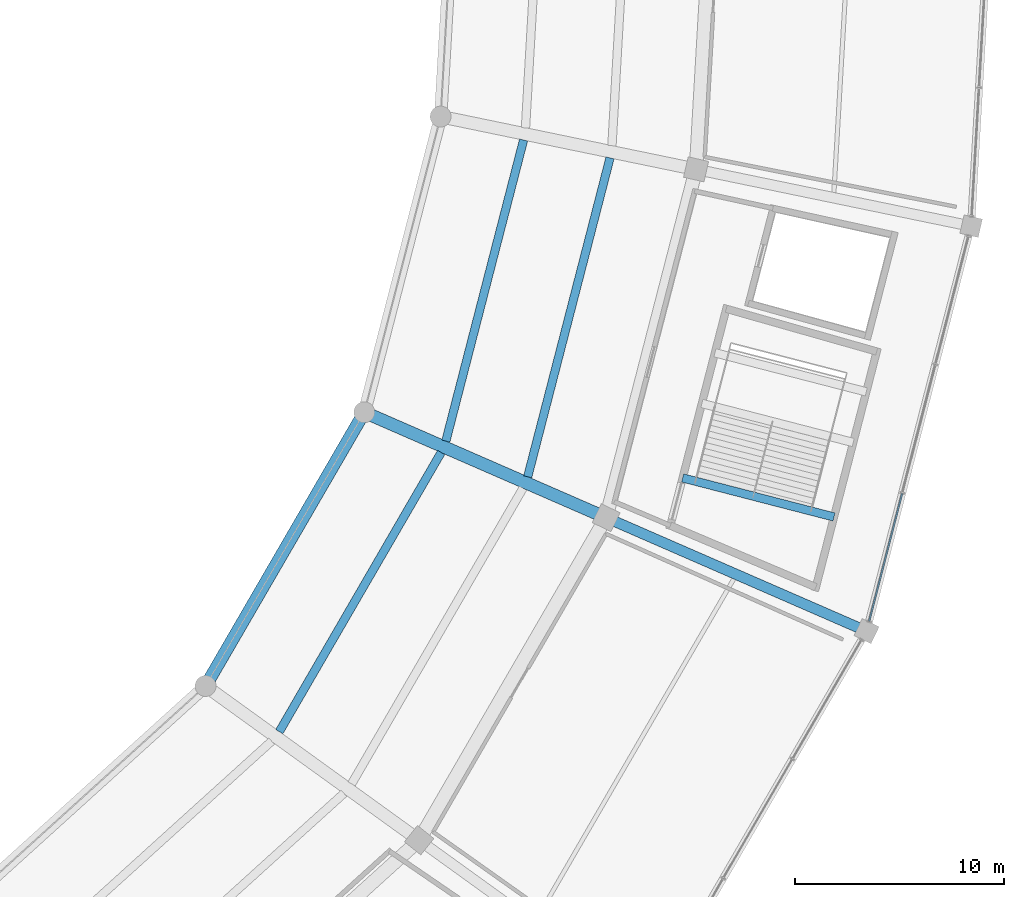
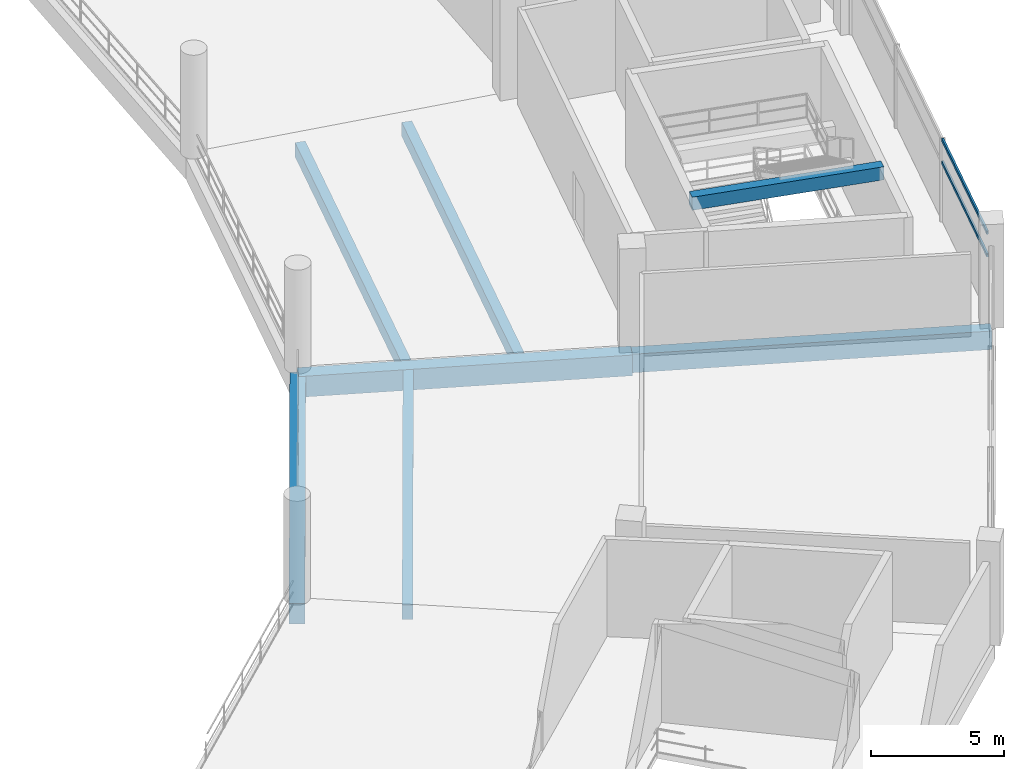
# One storey, part 64 of 171: 7 beams, 2 members, 1 element without a shape of its own.
"""IFC4 building model written with IfcOpenShell, lengths in metres."""

from ifc_helpers import new_model, si_unit, direction, frame, origin, origin_2d, place, context, subcontext, project, spatial, rectangle, hollow_rectangle, extrude, material, layer, layer_set, material_profile, profile_set, type_object, element, aggregate, save


model = new_model("IFC4")

# Units and contexts
model_context = context("Model", 3, precision=1e-05, world=origin(), true_north=direction((0.0, 1.0)))
body_context = subcontext(model_context, "Body", "Model", "MODEL_VIEW")
ifc_project = project(units=[si_unit("LENGTHUNIT", "METRE"), si_unit("AREAUNIT", "SQUARE_METRE"), si_unit("VOLUMEUNIT", "CUBIC_METRE"), si_unit("PLANEANGLEUNIT", "RADIAN"), si_unit("MASSUNIT", "GRAM", prefix="KILO")], contexts=[model_context])

# Site, building, storey
site_placement = place(None, origin())
site = spatial("IfcSite", under=ifc_project, at=site_placement, CompositionType="ELEMENT")
building_placement = place(site_placement, origin())
building = spatial("IfcBuilding", under=site, at=building_placement, Name="Kazemori Nagisa Stadium", CompositionType="ELEMENT")
storey_placement = place(building_placement, frame((0.0, 0.0, 15.639892578125)))
storey = spatial("IfcBuildingStorey", under=building, at=storey_placement, Name="L03", CompositionType="ELEMENT", Elevation=15.639892578125)

# Beams
ifc_material_1 = material(Name="Concrete C40/50 (Fc42)", Category="concrete")
ifc_material_profile_1 = material_profile(ifc_material_1, rectangle(XDim=0.39990234375, YDim=0.60009765625, at=origin_2d()), Name="RC-BM-400x600")
ifc_profile_set_1 = profile_set([ifc_material_profile_1], Name="Concrete C40/50 (Fc42)")
beam_type_1 = type_object("IfcBeamType", Name="Beam_BG-LND400X600", PredefinedType="BEAM", material=ifc_profile_set_1)
beam_1_placement = place(storey_placement, frame((203.095703125, 70.57470703125, 4.16015625), z_axis=(0.968252570883, -0.249973916595, 0.0), x_axis=(0.249973916595, 0.968252570883, 0.0)))
element("IfcBeam", 1, at=beam_1_placement, inside=storey, type_object=beam_type_1, Name="Core stair arrival header girder ST10-L03", PredefinedType="BEAM", context=body_context, shape_type="SweptSolid", body=[
    extrude(rectangle(XDim=0.39990234375, YDim=0.60009765625, at=origin_2d()), origin(), (0.0, 0.0, 1.0), 7.468505859375),
])
ifc_material_profile_2 = material_profile(ifc_material_1, rectangle(XDim=0.5, YDim=0.85009765625, at=origin_2d()), Name="RC-BM-500x850")
ifc_profile_set_2 = profile_set([ifc_material_profile_2], Name="Concrete C40/50 (Fc42)")
beam_type_2 = type_object("IfcBeamType", Name="Beam_BG-RC500X850", PredefinedType="BEAM", material=ifc_profile_set_2)
beam_2_placement = place(storey_placement, frame((199.44091796875, 68.67529296875, -0.684814453125), z_axis=(0.916683633521, -0.399613708517, 0.0), x_axis=(0.399613708517, 0.916683633521, 0.0)))
element("IfcBeam", 2, at=beam_2_placement, inside=storey, type_object=beam_type_2, Name="Radial girder BG-RC500X850 L03 R2-R3-27", PredefinedType="BEAM", context=body_context, shape_type="SweptSolid", body=[
    extrude(rectangle(XDim=0.5, YDim=0.85009765625, at=origin_2d()), origin(), (0.0, 0.0, 1.0), 13.5751953125),
])
ifc_material_profile_3 = material_profile(ifc_material_1, rectangle(XDim=0.60009765625, YDim=0.949951171875, at=origin_2d()), Name="RC-BM-600x950")
ifc_profile_set_3 = profile_set([ifc_material_profile_3], Name="Concrete C40/50 (Fc42)")
beam_type_3 = type_object("IfcBeamType", Name="Beam_BG-RC600X950", PredefinedType="BEAM", material=ifc_profile_set_3)
beam_3_placement = place(storey_placement, frame((180.301513671875, 60.632568359375, -0.73486328125), z_axis=(0.501613453924, 0.865091869597, 0.0), x_axis=(-0.865091869597, 0.501613453924, 0.0)))
element("IfcBeam", 3, at=beam_3_placement, inside=storey, type_object=beam_type_3, Name="Ring girder BG-RC600X950 L03 R1-26", PredefinedType="BEAM", context=body_context, shape_type="SweptSolid", body=[
    extrude(rectangle(XDim=0.60009765625, YDim=0.949951171875, at=origin_2d()), origin(), (0.0, 0.0, 1.0), 15.1201171875),
])
beam_4_placement = place(storey_placement, frame((187.885986328125, 73.712890625, -0.73486328125), z_axis=(0.916671768981, -0.399640923771, 0.0), x_axis=(0.399640923771, 0.916671768981, 0.0)))
element("IfcBeam", 4, at=beam_4_placement, inside=storey, type_object=beam_type_3, Name="Radial girder BG-RC600X950 L03 R1-R2-27", PredefinedType="BEAM", context=body_context, shape_type="SweptSolid", body=[
    extrude(rectangle(XDim=0.60009765625, YDim=0.949951171875, at=origin_2d()), origin(), (0.0, 0.0, 1.0), 12.605224609375),
])
ifc_material_profile_4 = material_profile(ifc_material_1, rectangle(XDim=0.39990234375, YDim=0.64990234375, at=origin_2d()), Name="RC-BM-400x650")
ifc_profile_set_4 = profile_set([ifc_material_profile_4], Name="Concrete C40/50 (Fc42)")
beam_type_4 = type_object("IfcBeamType", Name="Beam_BJ-RC400X650", PredefinedType="JOIST", material=ifc_profile_set_4)
beam_5_placement = place(storey_placement, frame((183.824951171875, 58.451171875, -0.5849609375), z_axis=(0.501607199617, 0.865095496054, 0.0), x_axis=(-0.865095496054, 0.501607199617, 0.0)))
element("IfcBeam", 5, at=beam_5_placement, inside=storey, type_object=beam_type_4, Name="Concourse joist BJ-RC400X650 L03 B26-1", PredefinedType="JOIST", context=body_context, shape_type="SweptSolid", body=[
    extrude(rectangle(XDim=0.39990234375, YDim=0.64990234375, at=origin_2d()), origin(), (0.0, 0.0, 1.0), 15.420654296875),
])
beam_6_placement = place(storey_placement, frame((191.78173828125, 72.332275390625, -0.5849609375), z_axis=(0.24996646764, 0.968254493951, 0.0), x_axis=(-0.968254493951, 0.24996646764, 0.0)))
element("IfcBeam", 6, at=beam_6_placement, inside=storey, type_object=beam_type_4, Name="Concourse joist BJ-RC400X650 L03 B27-1", PredefinedType="JOIST", context=body_context, shape_type="SweptSolid", body=[
    extrude(rectangle(XDim=0.39990234375, YDim=0.64990234375, at=origin_2d()), origin(), (0.0, 0.0, 1.0), 14.859375),
])
beam_7_placement = place(storey_placement, frame((195.692626953125, 70.627197265625, -0.5849609375), z_axis=(0.24997419154, 0.968252499901, 0.0), x_axis=(-0.968252499901, 0.24997419154, 0.0)))
element("IfcBeam", 7, at=beam_7_placement, inside=storey, type_object=beam_type_4, Name="Concourse joist BJ-RC400X650 L03 B27-2", PredefinedType="JOIST", context=body_context, shape_type="SweptSolid", body=[
    extrude(rectangle(XDim=0.39990234375, YDim=0.64990234375, at=origin_2d()), origin(), (0.0, 0.0, 1.0), 15.739013671875),
])

# Curtain wall, members
ifc_material_2 = material(Name="Anodised aluminium 6063-T5", Category="aluminium")
ifc_layer = layer(ifc_material_2, 0.2099609375, Name="Anodised aluminium 6063-T5", Category="aluminium")
ifc_layer_set = layer_set([ifc_layer], Name="Anodised aluminium 6063-T5")
curtain_wall_type = type_object("IfcCurtainWallType", Name="CW_L03R3_96", PredefinedType="USERDEFINED", material=ifc_layer_set)
curtain_wall_placement = place(storey_placement, origin())
curtain_wall = element("IfcCurtainWall", 8, at=curtain_wall_placement, inside=storey, type_object=curtain_wall_type, Name="Unitised curtain wall CW-L03R3-96 L03", ObjectType="UNITISED CURTAIN WALL", PredefinedType="USERDEFINED")
ifc_material_3 = material(Name="Aluminium 6063-T5 anodised", Category="aluminium")
ifc_material_profile_5 = material_profile(ifc_material_3, hollow_rectangle(XDim=0.080078125, YDim=0.159912109375, WallThickness=0.00390625, at=origin_2d()), Name="ALU-TRAN-80x160x4")
ifc_profile_set_5 = profile_set([ifc_material_profile_5], Name="Aluminium 6063-T5 anodised")
member_type = type_object("IfcMemberType", Name="Transom_T02", PredefinedType="USERDEFINED", material=ifc_profile_set_5)
member_1_placement = place(storey_placement, frame((212.008544921875, 63.729736328125, 2.705322265625), z_axis=(0.249971699633, 0.968253143234, 0.0), x_axis=(-0.968253143234, 0.249971699633, 0.0)))
member_1 = element("IfcMember", 9, at=member_1_placement, type_object=member_type, Name="Curtain wall transom CW-L03R3-96-T1-mid", ObjectType="TRANSOM", PredefinedType="USERDEFINED", context=body_context, shape_type="SweptSolid", body=[
    extrude(hollow_rectangle(XDim=0.080078125, YDim=0.159912109375, WallThickness=0.00390625, at=origin_2d()), origin(), (0.0, 0.0, 1.0), 6.305419921875),
])
member_2_placement = place(storey_placement, frame((212.008544921875, 63.729736328125, 3.739990234375), z_axis=(0.249971699633, 0.968253143234, 0.0), x_axis=(-0.968253143234, 0.249971699633, 0.0)))
member_2 = element("IfcMember", 10, at=member_2_placement, type_object=member_type, Name="Curtain wall transom CW-L03R3-96-T1-head", ObjectType="TRANSOM", PredefinedType="USERDEFINED", context=body_context, shape_type="SweptSolid", body=[
    extrude(hollow_rectangle(XDim=0.080078125, YDim=0.159912109375, WallThickness=0.00390625, at=origin_2d()), origin(), (0.0, 0.0, 1.0), 6.305419921875),
])
aggregate(curtain_wall, [member_1, member_2])

save(model, "model.ifc")
